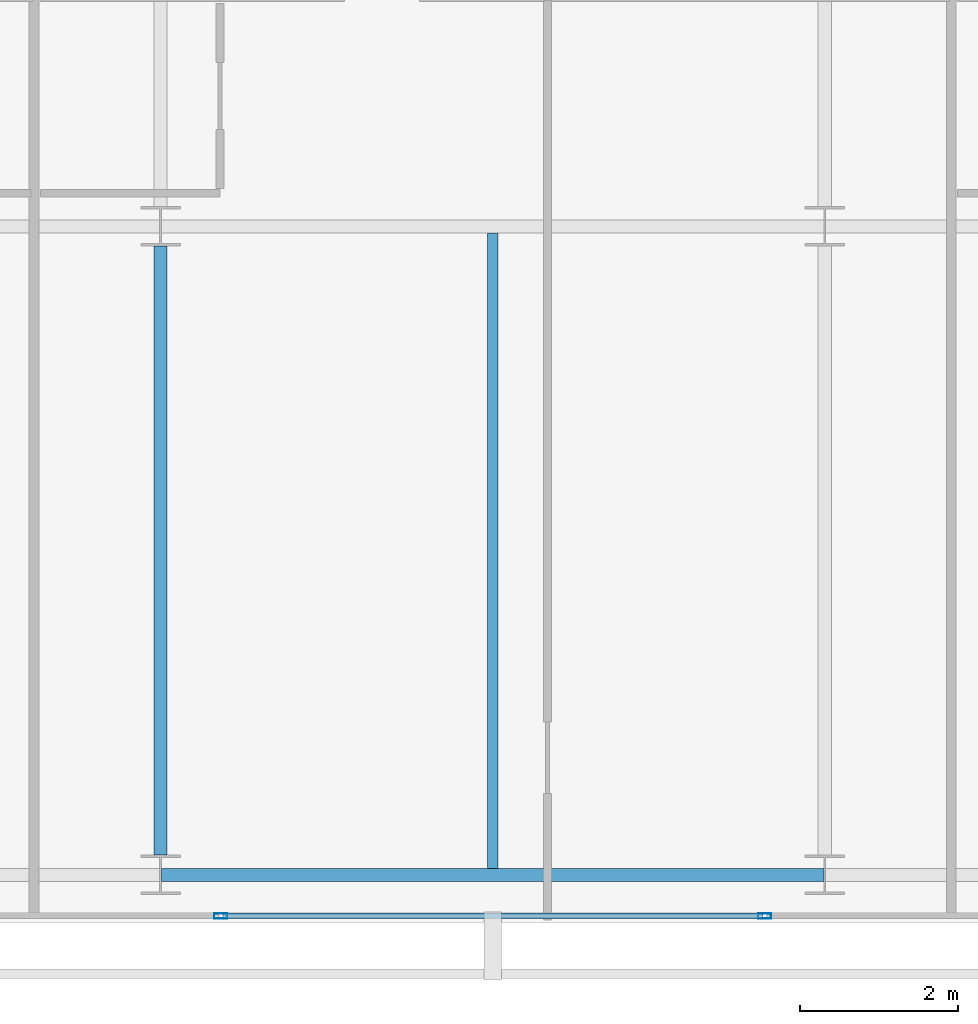
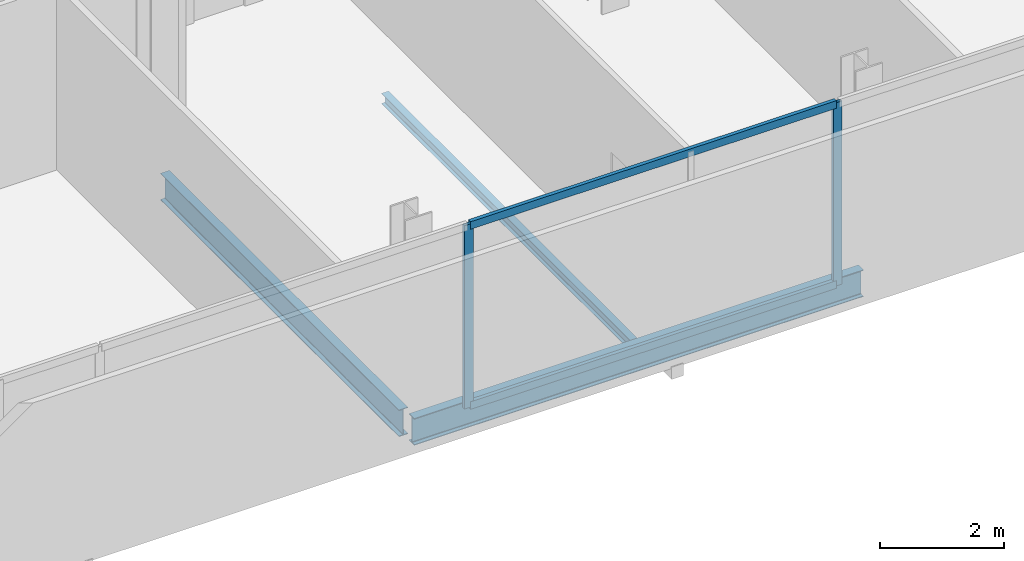
# One storey, part 6 of 25: 4 members, 3 beams, 1 element without a shape of its own.
"""IFC4 building model written with IfcOpenShell, lengths in metres."""

from ifc_helpers import new_model, si_unit, direction, frame, origin, origin_2d, place, context, subcontext, project, spatial, hollow_rectangle, i_section, extrude, material, layer, layer_set, material_profile, profile_set, type_object, element, aggregate, save


model = new_model("IFC4")

# Units and contexts
model_context = context("Model", 3, precision=1e-05, world=origin(), true_north=direction((0.0, 1.0)))
body_context = subcontext(model_context, "Body", "Model", "MODEL_VIEW")
ifc_project = project(units=[si_unit("LENGTHUNIT", "METRE"), si_unit("AREAUNIT", "SQUARE_METRE"), si_unit("VOLUMEUNIT", "CUBIC_METRE"), si_unit("PLANEANGLEUNIT", "RADIAN"), si_unit("MASSUNIT", "GRAM", prefix="KILO")], contexts=[model_context])

# Site, building, storey
site_placement = place(None, origin())
site = spatial("IfcSite", under=ifc_project, at=site_placement, CompositionType="ELEMENT")
building_placement = place(site_placement, origin())
building = spatial("IfcBuilding", under=site, at=building_placement, Name="Maruvema Waterfront Hotel and Observation Tower", CompositionType="ELEMENT")
storey_placement = place(building_placement, frame((0.0, 0.0, 297.14990234375)))
storey = spatial("IfcBuildingStorey", under=building, at=storey_placement, Name="L73", CompositionType="ELEMENT", Elevation=297.14990234375)

# Curtain wall, members
ifc_material_1 = material(Name="Anodised bronze aluminium and solar-control low-E IGU", Category="aluminium")
ifc_layer = layer(ifc_material_1, 0.159912109375, Name="Zone 3 Champagne Inner Thermal Curtain Wall System CW-04")
ifc_layer_set = layer_set([ifc_layer], Name="Anodised bronze aluminium and solar-control low-E IGU")
curtain_wall_type = type_object("IfcCurtainWallType", Name="Zone 3 Champagne Inner Thermal Curtain Wall System CW-04", PredefinedType="USERDEFINED", material=ifc_layer_set)
curtain_wall_placement = place(storey_placement, origin())
curtain_wall = element("IfcCurtainWall", 1, at=curtain_wall_placement, inside=storey, type_object=curtain_wall_type, Name="L73 Curtain Wall CW-L73-S", ObjectType="UNITISED CURTAIN WALL", PredefinedType="USERDEFINED")
ifc_material_2 = material(Name="Anodised architectural bronze aluminium", Category="aluminium")
ifc_material_profile_1 = material_profile(ifc_material_2, hollow_rectangle(XDim=0.070068359375, YDim=0.14990234375, WallThickness=0.00390625, at=origin_2d()), Name="ALU-T70x150")
ifc_profile_set_1 = profile_set([ifc_material_profile_1], Name="Anodised architectural bronze aluminium")
member_type_1 = type_object("IfcMemberType", Name="Curtain Wall Horizontal Transom ALU-T70x150", PredefinedType="USERDEFINED", material=ifc_profile_set_1)
member_1_placement = place(storey_placement, frame((34.389892578125, 9.280029296875, 0.030029296875), z_axis=(1.0, 0.0, 0.0), x_axis=(0.0, 1.0, 0.0)))
member_1 = element("IfcMember", 2, at=member_1_placement, type_object=member_type_1, Name="CW-04 transom 3.1", ObjectType="TRANSOM", PredefinedType="USERDEFINED", context=body_context, shape_type="SweptSolid", body=[
    extrude(hollow_rectangle(XDim=0.070068359375, YDim=0.14990234375, WallThickness=0.00390625, at=origin_2d()), origin(), (0.0, 0.0, 1.0), 6.820068359375),
])
member_2_placement = place(storey_placement, frame((34.389892578125, 9.280029296875, 3.580078125), z_axis=(1.0, 0.0, 0.0), x_axis=(0.0, 1.0, 0.0)))
member_2 = element("IfcMember", 3, at=member_2_placement, type_object=member_type_1, Name="CW-04 transom 3.2", ObjectType="TRANSOM", PredefinedType="USERDEFINED", context=body_context, shape_type="SweptSolid", body=[
    extrude(hollow_rectangle(XDim=0.070068359375, YDim=0.14990234375, WallThickness=0.00390625, at=origin_2d()), origin(), (0.0, 0.0, 1.0), 6.820068359375),
])
ifc_material_3 = material(Name="Anodised architectural bronze aluminium", Category="aluminium")
ifc_material_profile_2 = material_profile(ifc_material_3, hollow_rectangle(XDim=0.06494140625, YDim=0.1650390625, WallThickness=0.00390625, at=origin_2d()), Name="ALU-M65x165")
ifc_profile_set_2 = profile_set([ifc_material_profile_2], Name="Anodised architectural bronze aluminium")
member_type_2 = type_object("IfcMemberType", Name="Curtain Wall Primary Mullion ALU-M65x165", PredefinedType="MULLION", material=ifc_profile_set_2)
member_3_placement = place(storey_placement, frame((34.360107421875, 9.280029296875, 0.0), z_axis=(0.0, 0.0, 1.0), x_axis=(0.0, 1.0, 0.0)))
member_3 = element("IfcMember", 4, at=member_3_placement, type_object=member_type_2, Name="CW-04 mullion 3", PredefinedType="MULLION", context=body_context, shape_type="SweptSolid", body=[
    extrude(hollow_rectangle(XDim=0.06494140625, YDim=0.1650390625, WallThickness=0.00390625, at=origin_2d()), origin(), (0.0, 0.0, 1.0), 3.610107421875),
])
member_4_placement = place(storey_placement, frame((41.239990234375, 9.280029296875, 0.0), z_axis=(0.0, 0.0, 1.0), x_axis=(0.0, 1.0, 0.0)))
member_4 = element("IfcMember", 5, at=member_4_placement, type_object=member_type_2, Name="CW-04 mullion 4", PredefinedType="MULLION", context=body_context, shape_type="SweptSolid", body=[
    extrude(hollow_rectangle(XDim=0.06494140625, YDim=0.1650390625, WallThickness=0.00390625, at=origin_2d()), origin(), (0.0, 0.0, 1.0), 3.610107421875),
])
aggregate(curtain_wall, [member_3, member_4, member_1, member_2])

# Beams
ifc_material_4 = material(Name="Steel ASTM A572 Grade 50", Category="steel")
ifc_material_profile_3 = material_profile(ifc_material_4, i_section(OverallWidth=0.166015625, OverallDepth=0.529052734375, WebThickness=0.009765625, FlangeThickness=0.013671875, FilletRadius=0.014892578125, at=origin_2d()), Name="W530x74.0")
ifc_profile_set_3 = profile_set([ifc_material_profile_3], Name="Steel ASTM A572 Grade 50")
beam_type_1 = type_object("IfcBeamType", Name="Primary Floor Girder W530x74.0", PredefinedType="BEAM", material=ifc_profile_set_3)
beam_1_placement = place(storey_placement, frame((33.611083984375, 9.800048828125, -0.50439453125), z_axis=(1.0, 0.0, 0.0), x_axis=(0.0, 1.0, 0.0)))
element("IfcBeam", 6, at=beam_1_placement, inside=storey, type_object=beam_type_1, Name="L73 Floor Girder EW-02", PredefinedType="BEAM", context=body_context, shape_type="SweptSolid", body=[
    extrude(i_section(OverallWidth=0.166015625, OverallDepth=0.529052734375, WebThickness=0.009765625, FlangeThickness=0.013671875, FilletRadius=0.014892578125, at=origin_2d()), origin(), (0.0, 0.0, 1.0), 8.3779296875),
])
beam_2_placement = place(storey_placement, frame((33.60009765625, 10.050048828125, -0.50439453125), z_axis=(0.0, 1.0, 0.0), x_axis=(-1.0, 0.0, 0.0)))
element("IfcBeam", 7, at=beam_2_placement, inside=storey, type_object=beam_type_1, Name="L73 Floor Girder NS-08", PredefinedType="BEAM", context=body_context, shape_type="SweptSolid", body=[
    extrude(i_section(OverallWidth=0.166015625, OverallDepth=0.529052734375, WebThickness=0.009765625, FlangeThickness=0.013671875, FilletRadius=0.014892578125, at=origin_2d()), origin(), (0.0, 0.0, 1.0), 7.699951171875),
])
ifc_material_5 = material(Name="Steel ASTM A572 Grade 50", Category="steel")
ifc_material_profile_4 = material_profile(ifc_material_5, i_section(OverallWidth=0.133056640625, OverallDepth=0.20703125, WebThickness=0.005859375, FlangeThickness=0.00830078125, FilletRadius=0.010009765625, at=origin_2d()), Name="W200x26.6")
ifc_profile_set_4 = profile_set([ifc_material_profile_4], Name="Steel ASTM A572 Grade 50")
beam_type_2 = type_object("IfcBeamType", Name="Secondary Floor Joist W200x26.6", PredefinedType="JOIST", material=ifc_profile_set_4)
beam_3_placement = place(storey_placement, frame((37.800048828125, 9.883056640625, -0.343505859375), z_axis=(0.0, 1.0, 0.0), x_axis=(-1.0, 0.0, 0.0)))
element("IfcBeam", 8, at=beam_3_placement, inside=storey, type_object=beam_type_2, Name="L73 Secondary Floor Joist JS-05", PredefinedType="JOIST", context=body_context, shape_type="SweptSolid", body=[
    extrude(i_section(OverallWidth=0.133056640625, OverallDepth=0.20703125, WebThickness=0.005859375, FlangeThickness=0.00830078125, FilletRadius=0.010009765625, at=origin_2d()), origin(), (0.0, 0.0, 1.0), 8.033935546875),
])

save(model, "model.ifc")
